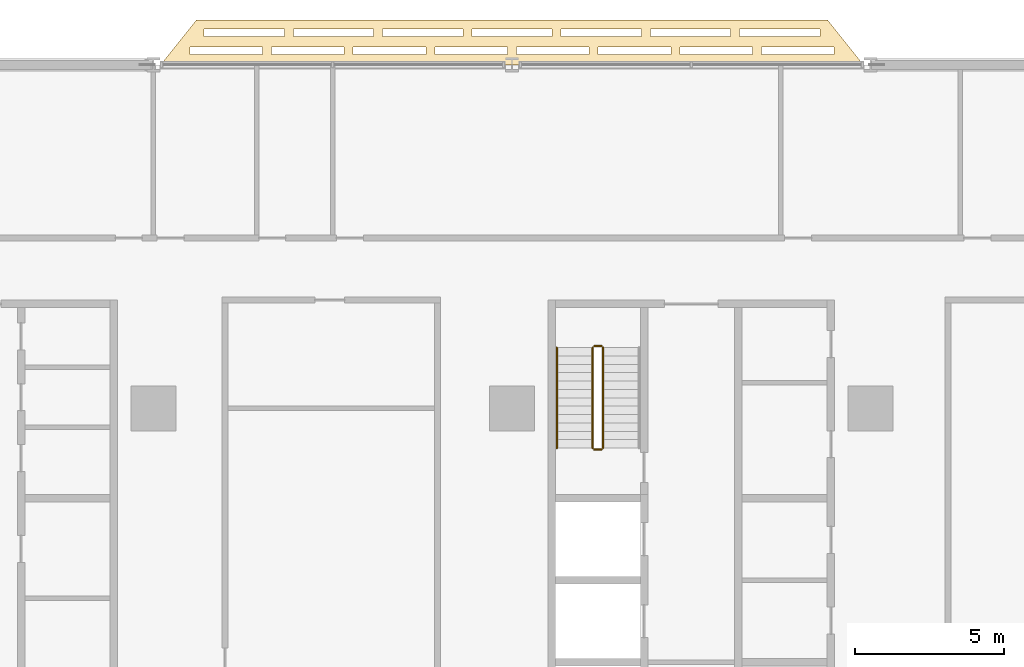
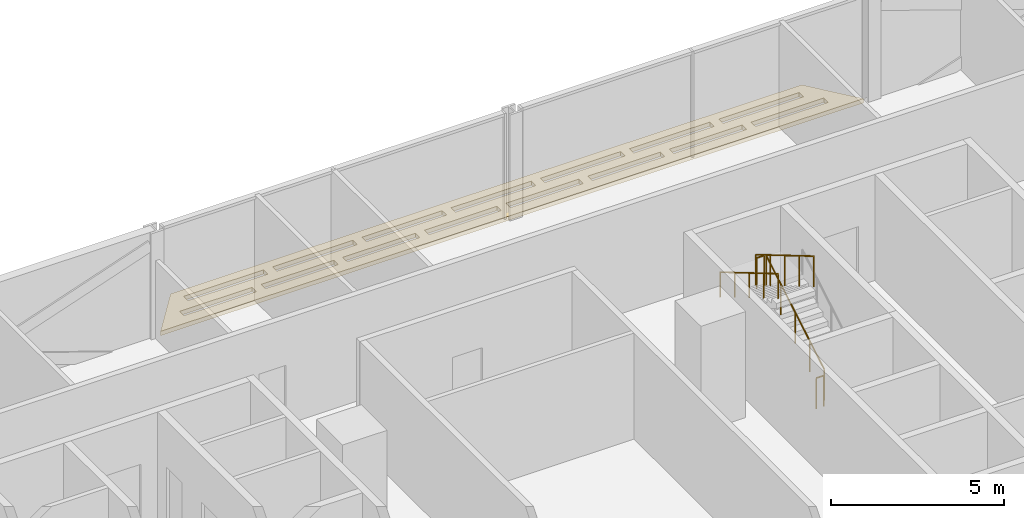
# One storey, part 27 of 29: 5 railings, 1 covering.
"""IFC4 building model written with IfcOpenShell, lengths in metres."""

from ifc_helpers import new_model, si_unit, direction, frame, origin, origin_2d, place, context, subcontext, project, spatial, polyline, circle, outline, extrude, material, layer, layer_set, type_object, element, save


model = new_model("IFC4")

# Units and contexts
model_context = context("Model", 3, precision=1e-05, world=origin(), true_north=direction((0.0, 1.0)))
body_context = subcontext(model_context, "Body", "Model", "MODEL_VIEW")
ifc_project = project(units=[si_unit("LENGTHUNIT", "METRE"), si_unit("AREAUNIT", "SQUARE_METRE"), si_unit("VOLUMEUNIT", "CUBIC_METRE"), si_unit("PLANEANGLEUNIT", "RADIAN"), si_unit("MASSUNIT", "GRAM", prefix="KILO")], contexts=[model_context])

# Site, building, storey
site_placement = place(None, origin())
site = spatial("IfcSite", under=ifc_project, at=site_placement, CompositionType="ELEMENT")
building_placement = place(site_placement, origin())
building = spatial("IfcBuilding", under=site, at=building_placement, Name="Mahtab Terrace Research Tower", CompositionType="ELEMENT")
storey_placement = place(building_placement, frame((0.0, 0.0, 76.10009765625)))
storey = spatial("IfcBuildingStorey", under=building, at=storey_placement, Name="L17", CompositionType="ELEMENT", Elevation=76.10009765625)

# Covering
ifc_material_1 = material(Name="Black anodised aluminium", Category="aluminium")
ifc_layer = layer(ifc_material_1, 0.14990234375)
ifc_layer_set = layer_set([ifc_layer], Name="Horizontal sunshade band")
covering_type = type_object("IfcCoveringType", Name="Horizontal sunshade band", PredefinedType="CLADDING", material=ifc_layer_set)
covering_placement = place(storey_placement, frame((0.0, 0.0, -0.150146484375)))
element("IfcCovering", 1, at=covering_placement, inside=storey, type_object=covering_type, Name="Sunshade band L17 5", PredefinedType="CLADDING", context=body_context, shape_type="SweptSolid", body=[
    extrude(outline(polyline([(29.761962890625, 23.0), (6.238037109375, 23.0), (7.43798828125, 24.5), (28.56201171875, 24.5), (29.761962890625, 23.0)]), holes=[polyline([(28.781982421875, 23.35009765625), (26.34912109375, 23.35009765625), (26.34912109375, 23.60009765625), (28.781982421875, 23.60009765625), (28.781982421875, 23.35009765625)]), polyline([(26.049072265625, 23.35009765625), (23.615966796875, 23.35009765625), (23.615966796875, 23.60009765625), (26.049072265625, 23.60009765625), (26.049072265625, 23.35009765625)]), polyline([(23.31591796875, 23.35009765625), (20.883056640625, 23.35009765625), (20.883056640625, 23.60009765625), (23.31591796875, 23.60009765625), (23.31591796875, 23.35009765625)]), polyline([(20.5830078125, 23.35009765625), (18.14990234375, 23.35009765625), (18.14990234375, 23.60009765625), (20.5830078125, 23.60009765625), (20.5830078125, 23.35009765625)]), polyline([(17.85009765625, 23.35009765625), (15.4169921875, 23.35009765625), (15.4169921875, 23.60009765625), (17.85009765625, 23.60009765625), (17.85009765625, 23.35009765625)]), polyline([(15.116943359375, 23.35009765625), (12.68408203125, 23.35009765625), (12.68408203125, 23.60009765625), (15.116943359375, 23.60009765625), (15.116943359375, 23.35009765625)]), polyline([(12.384033203125, 23.35009765625), (9.950927734375, 23.35009765625), (9.950927734375, 23.60009765625), (12.384033203125, 23.60009765625), (12.384033203125, 23.35009765625)]), polyline([(9.65087890625, 23.35009765625), (7.218017578125, 23.35009765625), (7.218017578125, 23.60009765625), (9.65087890625, 23.60009765625), (9.65087890625, 23.35009765625)]), polyline([(28.302001953125, 23.949951171875), (25.615966796875, 23.949951171875), (25.615966796875, 24.199951171875), (28.302001953125, 24.199951171875), (28.302001953125, 23.949951171875)]), polyline([(25.31591796875, 23.949951171875), (22.62890625, 23.949951171875), (22.62890625, 24.199951171875), (25.31591796875, 24.199951171875), (25.31591796875, 23.949951171875)]), polyline([(22.3291015625, 23.949951171875), (19.64306640625, 23.949951171875), (19.64306640625, 24.199951171875), (22.3291015625, 24.199951171875), (22.3291015625, 23.949951171875)]), polyline([(19.343017578125, 23.949951171875), (16.656982421875, 23.949951171875), (16.656982421875, 24.199951171875), (19.343017578125, 24.199951171875), (19.343017578125, 23.949951171875)]), polyline([(16.35693359375, 23.949951171875), (13.6708984375, 23.949951171875), (13.6708984375, 24.199951171875), (16.35693359375, 24.199951171875), (16.35693359375, 23.949951171875)]), polyline([(13.37109375, 23.949951171875), (10.68408203125, 23.949951171875), (10.68408203125, 24.199951171875), (13.37109375, 24.199951171875), (13.37109375, 23.949951171875)]), polyline([(10.384033203125, 23.949951171875), (7.697998046875, 23.949951171875), (7.697998046875, 24.199951171875), (10.384033203125, 24.199951171875), (10.384033203125, 23.949951171875)])]), origin(), (0.0, 0.0, 1.0), 0.150146484375),
])

# Railings
ifc_material_2 = material(Name="Stainless steel AISI 304", Category="steel")
railing_type_1 = type_object("IfcRailingType", Name="Stair guard 1100", PredefinedType="GUARDRAIL", material=ifc_material_2)
railing_1_placement = place(storey_placement, frame((21.050048828125, 10.175048828125, 0.165283203125)))
element("IfcRailing", 2, at=railing_1_placement, inside=storey, type_object=railing_type_1, Name="L17 ST3 stair guard 1", PredefinedType="GUARDRAIL", context=body_context, shape_type="SweptSolid", body=[
    extrude(circle(Radius=0.02392578125, at=origin_2d()), frame((0.0, 0.0, 1.076171875), z_axis=(0.0, 0.861011212953, 0.508585972249), x_axis=(-1.0, 0.0, 0.0)), (0.0, 0.0, 1.0), 3.90234375),
    extrude(circle(Radius=0.02099609375, at=origin_2d()), origin(), (0.0, 0.0, 1.0), 1.052001953125),
    extrude(circle(Radius=0.02099609375, at=origin_2d()), frame((0.0, 0.83984375, 0.49609375)), (0.0, 0.0, 1.0), 1.052001953125),
    extrude(circle(Radius=0.02099609375, at=origin_2d()), frame((0.0, 1.679931640625, 0.9921875)), (0.0, 0.0, 1.0), 1.052001953125),
    extrude(circle(Radius=0.02099609375, at=origin_2d()), frame((0.0, 2.52001953125, 1.488525390625)), (0.0, 0.0, 1.0), 1.052001953125),
    extrude(circle(Radius=0.02099609375, at=origin_2d()), frame((0.0, 3.35986328125, 1.984619140625)), (0.0, 0.0, 1.0), 1.052001953125),
])
railing_2_placement = place(storey_placement, frame((21.0, 13.5849609375, 2.14990234375)))
element("IfcRailing", 3, at=railing_2_placement, inside=storey, type_object=railing_type_1, Name="L17 ST3 stair guard 2", PredefinedType="GUARDRAIL", context=body_context, shape_type="SweptSolid", body=[
    extrude(circle(Radius=0.02392578125, at=origin_2d()), frame((0.0, 0.0, 1.076171875), z_axis=(-1.0, 0.0, 0.0), x_axis=(0.0, -1.0, 0.0)), (0.0, 0.0, 1.0), 0.25),
    extrude(circle(Radius=0.02099609375, at=origin_2d()), origin(), (0.0, 0.0, 1.0), 1.052001953125),
    extrude(circle(Radius=0.02099609375, at=origin_2d()), frame((-0.25, 0.0, 0.0)), (0.0, 0.0, 1.0), 1.052001953125),
])
railing_3_placement = place(storey_placement, frame((20.699951171875, 13.534912109375, 2.315185546875)))
element("IfcRailing", 4, at=railing_3_placement, inside=storey, type_object=railing_type_1, Name="L17 ST3 stair guard 3", PredefinedType="GUARDRAIL", context=body_context, shape_type="SweptSolid", body=[
    extrude(circle(Radius=0.02392578125, at=origin_2d()), frame((0.0, 0.0, 1.076171875), z_axis=(0.0, -0.861011212953, 0.508585972249), x_axis=(1.0, 0.0, 0.0)), (0.0, 0.0, 1.0), 3.90234375),
    extrude(circle(Radius=0.02099609375, at=origin_2d()), origin(), (0.0, 0.0, 1.0), 1.052001953125),
    extrude(circle(Radius=0.02099609375, at=origin_2d()), frame((0.0, -0.83984375, 0.49609375)), (0.0, 0.0, 1.0), 1.052001953125),
    extrude(circle(Radius=0.02099609375, at=origin_2d()), frame((0.0, -1.679931640625, 0.9921875)), (0.0, 0.0, 1.0), 1.052001953125),
    extrude(circle(Radius=0.02099609375, at=origin_2d()), frame((0.0, -2.52001953125, 1.488525390625)), (0.0, 0.0, 1.0), 1.052001953125),
    extrude(circle(Radius=0.02099609375, at=origin_2d()), frame((0.0, -3.35986328125, 1.984619140625)), (0.0, 0.0, 1.0), 1.052001953125),
])
railing_4_placement = place(storey_placement, frame((21.0, 10.125, 0.0)))
element("IfcRailing", 5, at=railing_4_placement, inside=storey, type_object=railing_type_1, Name="L17 ST3 stair guard 4", PredefinedType="GUARDRAIL", context=body_context, shape_type="SweptSolid", body=[
    extrude(circle(Radius=0.02392578125, at=origin_2d()), frame((0.0, 0.0, 1.076171875), z_axis=(-1.0, 0.0, 0.0), x_axis=(0.0, -1.0, 0.0)), (0.0, 0.0, 1.0), 0.25),
    extrude(circle(Radius=0.02099609375, at=origin_2d()), origin(), (0.0, 0.0, 1.0), 1.052001953125),
    extrude(circle(Radius=0.02099609375, at=origin_2d()), frame((-0.25, 0.0, 0.0)), (0.0, 0.0, 1.0), 1.052001953125),
])
railing_type_2 = type_object("IfcRailingType", Name="Stair handrail 900", PredefinedType="HANDRAIL", material=ifc_material_2)
railing_5_placement = place(storey_placement, frame((19.5, 13.534912109375, 2.315185546875)))
element("IfcRailing", 6, at=railing_5_placement, inside=storey, type_object=railing_type_2, Name="L17 ST3 stair handrail 2", PredefinedType="HANDRAIL", context=body_context, shape_type="SweptSolid", body=[
    extrude(circle(Radius=0.02392578125, at=origin_2d()), frame((0.0, 0.0, 0.8759765625), z_axis=(0.0, -0.861011212953, 0.508585972249), x_axis=(1.0, 0.0, 0.0)), (0.0, 0.0, 1.0), 3.90234375),
    extrude(circle(Radius=0.02099609375, at=origin_2d()), origin(), (0.0, 0.0, 1.0), 0.851806640625),
    extrude(circle(Radius=0.02099609375, at=origin_2d()), frame((0.0, -0.83984375, 0.49609375)), (0.0, 0.0, 1.0), 0.851806640625),
    extrude(circle(Radius=0.02099609375, at=origin_2d()), frame((0.0, -1.679931640625, 0.9921875)), (0.0, 0.0, 1.0), 0.851806640625),
    extrude(circle(Radius=0.02099609375, at=origin_2d()), frame((0.0, -2.52001953125, 1.488525390625)), (0.0, 0.0, 1.0), 0.851806640625),
    extrude(circle(Radius=0.02099609375, at=origin_2d()), frame((0.0, -3.35986328125, 1.984619140625)), (0.0, 0.0, 1.0), 0.851806640625),
])

save(model, "model.ifc")
